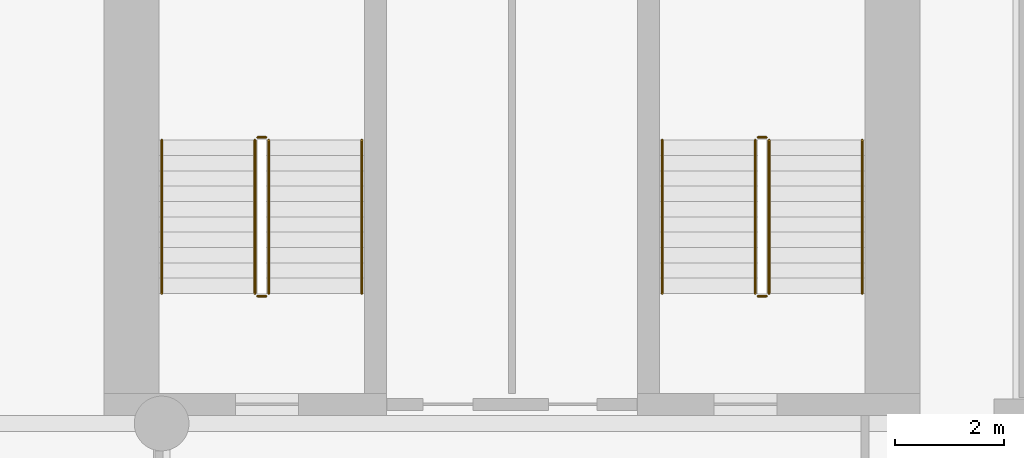
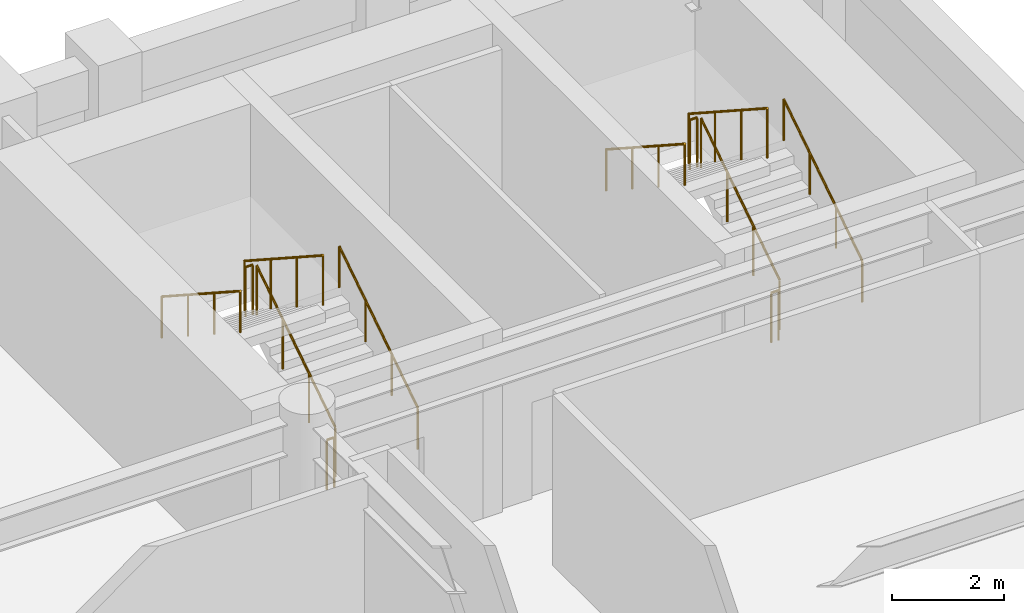
# One storey, part 10 of 10: 12 railings.
"""IFC4 building model written with IfcOpenShell, lengths in metres."""

from ifc_helpers import new_model, si_unit, direction, frame, origin, origin_2d, place, context, subcontext, project, spatial, circle, extrude, material, type_object, element, save


model = new_model("IFC4")

# Units and contexts
model_context = context("Model", 3, precision=1e-05, world=origin(), true_north=direction((0.0, 1.0)))
body_context = subcontext(model_context, "Body", "Model", "MODEL_VIEW")
ifc_project = project(units=[si_unit("LENGTHUNIT", "METRE"), si_unit("AREAUNIT", "SQUARE_METRE"), si_unit("VOLUMEUNIT", "CUBIC_METRE"), si_unit("PLANEANGLEUNIT", "RADIAN"), si_unit("MASSUNIT", "GRAM", prefix="KILO")], contexts=[model_context])

# Site, building, storey
site_placement = place(None, origin())
site = spatial("IfcSite", under=ifc_project, at=site_placement, CompositionType="ELEMENT")
building_placement = place(site_placement, origin())
building = spatial("IfcBuilding", under=site, at=building_placement, Name="Sulina Concourse Tower", CompositionType="ELEMENT")
storey_placement = place(building_placement, frame((0.0, 0.0, 50.60009765625)))
storey = spatial("IfcBuildingStorey", under=building, at=storey_placement, Name="L12", CompositionType="ELEMENT", Elevation=50.60009765625)

# Railings
ifc_material_1 = material(Name="Galvanised steel railing", Category="steel")
railing_type_1 = type_object("IfcRailingType", Name="Core Stair Steel Guardrail 1150mm", PredefinedType="GUARDRAIL", material=ifc_material_1)
railing_1_placement = place(storey_placement, frame((43.554931640625, 36.375, 0.181640625)))
element("IfcRailing", 1, at=railing_1_placement, inside=storey, type_object=railing_type_1, Name="L12 ST-3 stair guard 1", PredefinedType="GUARDRAIL", context=body_context, shape_type="SweptSolid", body=[
    extrude(circle(Radius=0.02392578125, at=origin_2d()), frame((0.0, 0.0, 1.076171875), z_axis=(0.0, 0.838672427954, 0.544636170843), x_axis=(-1.0, 0.0, 0.0)), (0.0, 0.0, 1.0), 3.338623046875),
    extrude(circle(Radius=0.02099609375, at=origin_2d()), origin(), (0.0, 0.0, 1.0), 1.052001953125),
    extrude(circle(Radius=0.02099609375, at=origin_2d()), frame((0.0, 0.933349609375, 0.606201171875)), (0.0, 0.0, 1.0), 1.052001953125),
    extrude(circle(Radius=0.02099609375, at=origin_2d()), frame((0.0, 1.86669921875, 1.212158203125)), (0.0, 0.0, 1.0), 1.052001953125),
    extrude(circle(Radius=0.02099609375, at=origin_2d()), frame((0.0, 2.800048828125, 1.818359375)), (0.0, 0.0, 1.0), 1.052001953125),
])
railing_2_placement = place(storey_placement, frame((43.5048828125, 39.22509765625, 2.0)))
element("IfcRailing", 2, at=railing_2_placement, inside=storey, type_object=railing_type_1, Name="L12 ST-3 stair guard 2", PredefinedType="GUARDRAIL", context=body_context, shape_type="SweptSolid", body=[
    extrude(circle(Radius=0.02392578125, at=origin_2d()), frame((0.0, 0.0, 1.076171875), z_axis=(-1.0, 0.0, 0.0), x_axis=(0.0, -1.0, 0.0)), (0.0, 0.0, 1.0), 0.14990234375),
    extrude(circle(Radius=0.02099609375, at=origin_2d()), origin(), (0.0, 0.0, 1.0), 1.052001953125),
    extrude(circle(Radius=0.02099609375, at=origin_2d()), frame((-0.14990234375, 0.0, 0.0)), (0.0, 0.0, 1.0), 1.052001953125),
])
railing_3_placement = place(storey_placement, frame((43.304931640625, 39.175048828125, 2.181640625)))
element("IfcRailing", 3, at=railing_3_placement, inside=storey, type_object=railing_type_1, Name="L12 ST-3 stair guard 3", PredefinedType="GUARDRAIL", context=body_context, shape_type="SweptSolid", body=[
    extrude(circle(Radius=0.02392578125, at=origin_2d()), frame((0.0, 0.0, 1.076171875), z_axis=(0.0, -0.838672427954, 0.544636170843), x_axis=(1.0, 0.0, 0.0)), (0.0, 0.0, 1.0), 3.338623046875),
    extrude(circle(Radius=0.02099609375, at=origin_2d()), origin(), (0.0, 0.0, 1.0), 1.052001953125),
    extrude(circle(Radius=0.02099609375, at=origin_2d()), frame((0.0, -0.933349609375, 0.606201171875)), (0.0, 0.0, 1.0), 1.052001953125),
    extrude(circle(Radius=0.02099609375, at=origin_2d()), frame((0.0, -1.86669921875, 1.212158203125)), (0.0, 0.0, 1.0), 1.052001953125),
    extrude(circle(Radius=0.02099609375, at=origin_2d()), frame((0.0, -2.800048828125, 1.818359375)), (0.0, 0.0, 1.0), 1.052001953125),
])
railing_4_placement = place(storey_placement, frame((43.5048828125, 36.324951171875, 0.0)))
element("IfcRailing", 4, at=railing_4_placement, inside=storey, type_object=railing_type_1, Name="L12 ST-3 stair guard 4", PredefinedType="GUARDRAIL", context=body_context, shape_type="SweptSolid", body=[
    extrude(circle(Radius=0.02392578125, at=origin_2d()), frame((0.0, 0.0, 1.076171875), z_axis=(-1.0, 0.0, 0.0), x_axis=(0.0, -1.0, 0.0)), (0.0, 0.0, 1.0), 0.14990234375),
    extrude(circle(Radius=0.02099609375, at=origin_2d()), origin(), (0.0, 0.0, 1.0), 1.052001953125),
    extrude(circle(Radius=0.02099609375, at=origin_2d()), frame((-0.14990234375, 0.0, 0.0)), (0.0, 0.0, 1.0), 1.052001953125),
])
railing_5_placement = place(storey_placement, frame((52.695068359375, 36.375, 0.181640625)))
element("IfcRailing", 5, at=railing_5_placement, inside=storey, type_object=railing_type_1, Name="L12 ST-4 stair guard 1", PredefinedType="GUARDRAIL", context=body_context, shape_type="SweptSolid", body=[
    extrude(circle(Radius=0.02392578125, at=origin_2d()), frame((0.0, 0.0, 1.076171875), z_axis=(0.0, 0.838672427954, 0.544636170843), x_axis=(-1.0, 0.0, 0.0)), (0.0, 0.0, 1.0), 3.338623046875),
    extrude(circle(Radius=0.02099609375, at=origin_2d()), origin(), (0.0, 0.0, 1.0), 1.052001953125),
    extrude(circle(Radius=0.02099609375, at=origin_2d()), frame((0.0, 0.933349609375, 0.606201171875)), (0.0, 0.0, 1.0), 1.052001953125),
    extrude(circle(Radius=0.02099609375, at=origin_2d()), frame((0.0, 1.86669921875, 1.212158203125)), (0.0, 0.0, 1.0), 1.052001953125),
    extrude(circle(Radius=0.02099609375, at=origin_2d()), frame((0.0, 2.800048828125, 1.818359375)), (0.0, 0.0, 1.0), 1.052001953125),
])
railing_6_placement = place(storey_placement, frame((52.64501953125, 39.22509765625, 2.0)))
element("IfcRailing", 6, at=railing_6_placement, inside=storey, type_object=railing_type_1, Name="L12 ST-4 stair guard 2", PredefinedType="GUARDRAIL", context=body_context, shape_type="SweptSolid", body=[
    extrude(circle(Radius=0.02392578125, at=origin_2d()), frame((0.0, 0.0, 1.076171875), z_axis=(-1.0, 0.0, 0.0), x_axis=(0.0, -1.0, 0.0)), (0.0, 0.0, 1.0), 0.14990234375),
    extrude(circle(Radius=0.02099609375, at=origin_2d()), origin(), (0.0, 0.0, 1.0), 1.052001953125),
    extrude(circle(Radius=0.02099609375, at=origin_2d()), frame((-0.14990234375, 0.0, 0.0)), (0.0, 0.0, 1.0), 1.052001953125),
])
railing_7_placement = place(storey_placement, frame((52.445068359375, 39.175048828125, 2.181640625)))
element("IfcRailing", 7, at=railing_7_placement, inside=storey, type_object=railing_type_1, Name="L12 ST-4 stair guard 3", PredefinedType="GUARDRAIL", context=body_context, shape_type="SweptSolid", body=[
    extrude(circle(Radius=0.02392578125, at=origin_2d()), frame((0.0, 0.0, 1.076171875), z_axis=(0.0, -0.838672427954, 0.544636170843), x_axis=(1.0, 0.0, 0.0)), (0.0, 0.0, 1.0), 3.338623046875),
    extrude(circle(Radius=0.02099609375, at=origin_2d()), origin(), (0.0, 0.0, 1.0), 1.052001953125),
    extrude(circle(Radius=0.02099609375, at=origin_2d()), frame((0.0, -0.933349609375, 0.606201171875)), (0.0, 0.0, 1.0), 1.052001953125),
    extrude(circle(Radius=0.02099609375, at=origin_2d()), frame((0.0, -1.86669921875, 1.212158203125)), (0.0, 0.0, 1.0), 1.052001953125),
    extrude(circle(Radius=0.02099609375, at=origin_2d()), frame((0.0, -2.800048828125, 1.818359375)), (0.0, 0.0, 1.0), 1.052001953125),
])
railing_8_placement = place(storey_placement, frame((52.64501953125, 36.324951171875, 0.0)))
element("IfcRailing", 8, at=railing_8_placement, inside=storey, type_object=railing_type_1, Name="L12 ST-4 stair guard 4", PredefinedType="GUARDRAIL", context=body_context, shape_type="SweptSolid", body=[
    extrude(circle(Radius=0.02392578125, at=origin_2d()), frame((0.0, 0.0, 1.076171875), z_axis=(-1.0, 0.0, 0.0), x_axis=(0.0, -1.0, 0.0)), (0.0, 0.0, 1.0), 0.14990234375),
    extrude(circle(Radius=0.02099609375, at=origin_2d()), origin(), (0.0, 0.0, 1.0), 1.052001953125),
    extrude(circle(Radius=0.02099609375, at=origin_2d()), frame((-0.14990234375, 0.0, 0.0)), (0.0, 0.0, 1.0), 1.052001953125),
])
ifc_material_2 = material(Name="Galvanised steel railing", Category="steel")
railing_type_2 = type_object("IfcRailingType", Name="Stair Wall Steel Handrail 920mm", PredefinedType="HANDRAIL", material=ifc_material_2)
railing_9_placement = place(storey_placement, frame((45.2548828125, 36.375, 0.181640625)))
element("IfcRailing", 9, at=railing_9_placement, inside=storey, type_object=railing_type_2, Name="L12 ST-3 stair handrail 1", PredefinedType="HANDRAIL", context=body_context, shape_type="SweptSolid", body=[
    extrude(circle(Radius=0.02392578125, at=origin_2d()), frame((0.0, 0.0, 0.89599609375), z_axis=(0.0, 0.838672427954, 0.544636170843), x_axis=(-1.0, 0.0, 0.0)), (0.0, 0.0, 1.0), 3.338623046875),
    extrude(circle(Radius=0.02099609375, at=origin_2d()), origin(), (0.0, 0.0, 1.0), 0.871826171875),
    extrude(circle(Radius=0.02099609375, at=origin_2d()), frame((0.0, 0.933349609375, 0.606201171875)), (0.0, 0.0, 1.0), 0.871826171875),
    extrude(circle(Radius=0.02099609375, at=origin_2d()), frame((0.0, 1.86669921875, 1.212158203125)), (0.0, 0.0, 1.0), 0.871826171875),
    extrude(circle(Radius=0.02099609375, at=origin_2d()), frame((0.0, 2.800048828125, 1.818359375)), (0.0, 0.0, 1.0), 0.871826171875),
])
railing_10_placement = place(storey_placement, frame((41.60498046875, 39.175048828125, 2.181640625)))
element("IfcRailing", 10, at=railing_10_placement, inside=storey, type_object=railing_type_2, Name="L12 ST-3 stair handrail 2", PredefinedType="HANDRAIL", context=body_context, shape_type="SweptSolid", body=[
    extrude(circle(Radius=0.02392578125, at=origin_2d()), frame((0.0, 0.0, 0.89599609375), z_axis=(0.0, -0.838672427954, 0.544636170843), x_axis=(1.0, 0.0, 0.0)), (0.0, 0.0, 1.0), 3.338623046875),
    extrude(circle(Radius=0.02099609375, at=origin_2d()), origin(), (0.0, 0.0, 1.0), 0.871826171875),
    extrude(circle(Radius=0.02099609375, at=origin_2d()), frame((0.0, -0.933349609375, 0.606201171875)), (0.0, 0.0, 1.0), 0.871826171875),
    extrude(circle(Radius=0.02099609375, at=origin_2d()), frame((0.0, -1.86669921875, 1.212158203125)), (0.0, 0.0, 1.0), 0.871826171875),
    extrude(circle(Radius=0.02099609375, at=origin_2d()), frame((0.0, -2.800048828125, 1.818359375)), (0.0, 0.0, 1.0), 0.871826171875),
])
railing_11_placement = place(storey_placement, frame((54.39501953125, 36.375, 0.181640625)))
element("IfcRailing", 11, at=railing_11_placement, inside=storey, type_object=railing_type_2, Name="L12 ST-4 stair handrail 1", PredefinedType="HANDRAIL", context=body_context, shape_type="SweptSolid", body=[
    extrude(circle(Radius=0.02392578125, at=origin_2d()), frame((0.0, 0.0, 0.89599609375), z_axis=(0.0, 0.838672427954, 0.544636170843), x_axis=(-1.0, 0.0, 0.0)), (0.0, 0.0, 1.0), 3.338623046875),
    extrude(circle(Radius=0.02099609375, at=origin_2d()), origin(), (0.0, 0.0, 1.0), 0.871826171875),
    extrude(circle(Radius=0.02099609375, at=origin_2d()), frame((0.0, 0.933349609375, 0.606201171875)), (0.0, 0.0, 1.0), 0.871826171875),
    extrude(circle(Radius=0.02099609375, at=origin_2d()), frame((0.0, 1.86669921875, 1.212158203125)), (0.0, 0.0, 1.0), 0.871826171875),
    extrude(circle(Radius=0.02099609375, at=origin_2d()), frame((0.0, 2.800048828125, 1.818359375)), (0.0, 0.0, 1.0), 0.871826171875),
])
railing_12_placement = place(storey_placement, frame((50.7451171875, 39.175048828125, 2.181640625)))
element("IfcRailing", 12, at=railing_12_placement, inside=storey, type_object=railing_type_2, Name="L12 ST-4 stair handrail 2", PredefinedType="HANDRAIL", context=body_context, shape_type="SweptSolid", body=[
    extrude(circle(Radius=0.02392578125, at=origin_2d()), frame((0.0, 0.0, 0.89599609375), z_axis=(0.0, -0.838672427954, 0.544636170843), x_axis=(1.0, 0.0, 0.0)), (0.0, 0.0, 1.0), 3.338623046875),
    extrude(circle(Radius=0.02099609375, at=origin_2d()), origin(), (0.0, 0.0, 1.0), 0.871826171875),
    extrude(circle(Radius=0.02099609375, at=origin_2d()), frame((0.0, -0.933349609375, 0.606201171875)), (0.0, 0.0, 1.0), 0.871826171875),
    extrude(circle(Radius=0.02099609375, at=origin_2d()), frame((0.0, -1.86669921875, 1.212158203125)), (0.0, 0.0, 1.0), 0.871826171875),
    extrude(circle(Radius=0.02099609375, at=origin_2d()), frame((0.0, -2.800048828125, 1.818359375)), (0.0, 0.0, 1.0), 0.871826171875),
])

save(model, "model.ifc")
